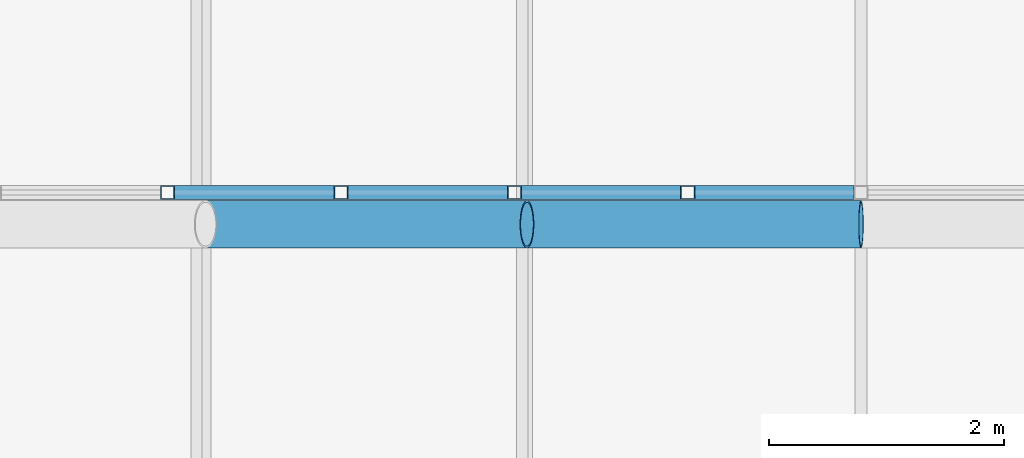
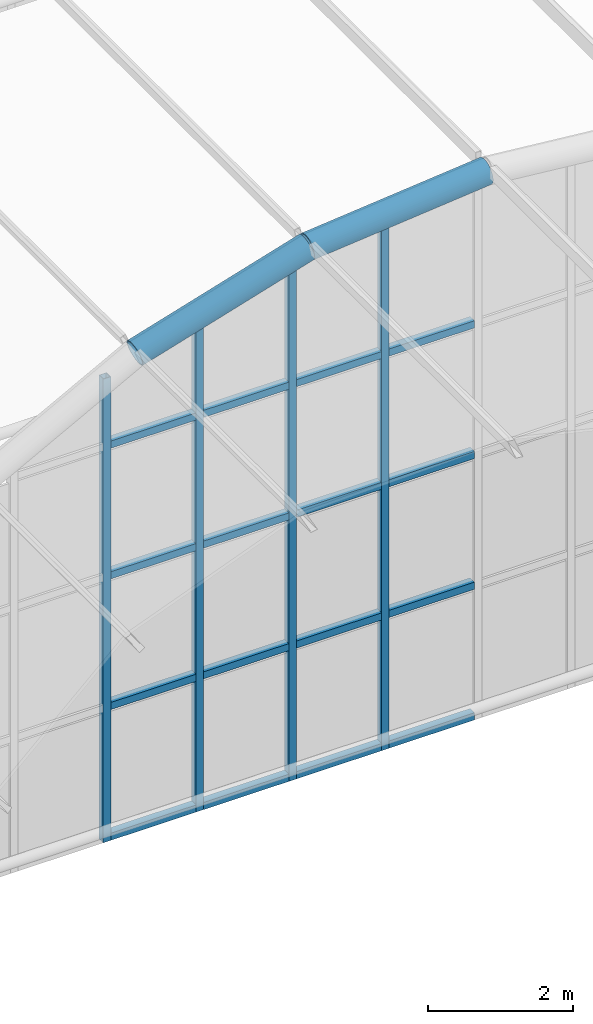
# One storey, part 26 of 121: 22 members, 1 element without a shape of its own.
"""IFC4 building model written with IfcOpenShell, lengths in metres."""

from ifc_helpers import new_model, si_unit, direction, frame, origin, origin_2d, place, context, subcontext, project, spatial, hollow_rectangle, hollow_circle, extrude, material, material_profile, profile_set, type_object, element, aggregate, save


model = new_model("IFC4")

# Units and contexts
model_context = context("Model", 3, precision=1e-05, world=origin(), true_north=direction((0.0, 1.0)))
body_context = subcontext(model_context, "Body", "Model", "MODEL_VIEW")
ifc_project = project(units=[si_unit("LENGTHUNIT", "METRE"), si_unit("AREAUNIT", "SQUARE_METRE"), si_unit("VOLUMEUNIT", "CUBIC_METRE"), si_unit("PLANEANGLEUNIT", "RADIAN"), si_unit("MASSUNIT", "GRAM", prefix="KILO")], contexts=[model_context])

# Site, building, storey
site_placement = place(None, origin())
site = spatial("IfcSite", under=ifc_project, at=site_placement, CompositionType="ELEMENT")
building_placement = place(site_placement, origin())
building = spatial("IfcBuilding", under=site, at=building_placement, Name="Golden Quay Civic Hall", CompositionType="ELEMENT")
storey_placement = place(building_placement, frame((0.0, 0.0, 18.60009765625)))
storey = spatial("IfcBuildingStorey", under=building, at=storey_placement, Name="L04", CompositionType="ELEMENT", Elevation=18.60009765625)

# Curtain wall, members
ifc_material_1 = material(Name="Fire-resisting glass and steel", Category="steel")
curtain_wall_type = type_object("IfcCurtainWallType", Name="Fire-resisting glazed curtain wall EI 120", PredefinedType="NOTDEFINED", material=ifc_material_1)
curtain_wall_placement = place(storey_placement, origin())
curtain_wall = element("IfcCurtainWall", 1, at=curtain_wall_placement, inside=storey, type_object=curtain_wall_type, Name="Curtain wall tympanum fire1", PredefinedType="NOTDEFINED")
ifc_material_2 = material(Name="Steel S355", Category="steel")
ifc_material_profile_1 = material_profile(ifc_material_2, hollow_rectangle(XDim=0.1201171875, YDim=0.1201171875, WallThickness=0.008056640625, at=origin_2d()), Name="SHS 120x120x8")
ifc_profile_set_1 = profile_set([ifc_material_profile_1], Name="Steel S355")
member_type_1 = type_object("IfcMemberType", Name="Fire-resisting steel mullion SHS 120x120x8", PredefinedType="MULLION", material=ifc_profile_set_1)
member_1_placement = place(storey_placement, frame((79.5888671875, 18.27001953125, -0.25), z_axis=(0.0, 0.0, 1.0), x_axis=(0.0, 1.0, 0.0)))
member_1 = element("IfcMember", 2, at=member_1_placement, type_object=member_type_1, Name="Tympanum mullion 6", PredefinedType="MULLION", context=body_context, shape_type="SweptSolid", body=[
    extrude(hollow_rectangle(XDim=0.1201171875, YDim=0.1201171875, WallThickness=0.008056640625, at=origin_2d()), origin(), (0.0, 0.0, 1.0), 7.805419921875),
])
member_2_placement = place(storey_placement, frame((81.066650390625, 18.27001953125, -0.25), z_axis=(0.0, 0.0, 1.0), x_axis=(0.0, 1.0, 0.0)))
member_2 = element("IfcMember", 3, at=member_2_placement, type_object=member_type_1, Name="Tympanum mullion 7", PredefinedType="MULLION", context=body_context, shape_type="SweptSolid", body=[
    extrude(hollow_rectangle(XDim=0.1201171875, YDim=0.1201171875, WallThickness=0.008056640625, at=origin_2d()), origin(), (0.0, 0.0, 1.0), 8.359375),
])
member_3_placement = place(storey_placement, frame((82.54443359375, 18.27001953125, -0.25), z_axis=(0.0, 0.0, 1.0), x_axis=(0.0, 1.0, 0.0)))
member_3 = element("IfcMember", 4, at=member_3_placement, type_object=member_type_1, Name="Tympanum mullion 8", PredefinedType="MULLION", context=body_context, shape_type="SweptSolid", body=[
    extrude(hollow_rectangle(XDim=0.1201171875, YDim=0.1201171875, WallThickness=0.008056640625, at=origin_2d()), origin(), (0.0, 0.0, 1.0), 8.806884765625),
])
member_4_placement = place(storey_placement, frame((84.022216796875, 18.27001953125, -0.25), z_axis=(0.0, 0.0, 1.0), x_axis=(0.0, 1.0, 0.0)))
member_4 = element("IfcMember", 5, at=member_4_placement, type_object=member_type_1, Name="Tympanum mullion 9", PredefinedType="MULLION", context=body_context, shape_type="SweptSolid", body=[
    extrude(hollow_rectangle(XDim=0.1201171875, YDim=0.1201171875, WallThickness=0.008056640625, at=origin_2d()), origin(), (0.0, 0.0, 1.0), 8.99462890625),
])
ifc_material_3 = material(Name="Steel S355", Category="steel")
ifc_material_profile_2 = material_profile(ifc_material_3, hollow_rectangle(XDim=0.1201171875, YDim=0.1201171875, WallThickness=0.008056640625, at=origin_2d()), Name="SHS 120x120x8")
ifc_profile_set_2 = profile_set([ifc_material_profile_2], Name="Steel S355")
member_type_2 = type_object("IfcMemberType", Name="Fire-resisting steel transom SHS 120x120x8", PredefinedType="USERDEFINED", material=ifc_profile_set_2)
member_5_placement = place(storey_placement, frame((79.64892578125, 18.27001953125, -0.190185546875), z_axis=(1.0, 0.0, 0.0), x_axis=(0.0, 1.0, 0.0)))
member_5 = element("IfcMember", 6, at=member_5_placement, type_object=member_type_2, Name="Tympanum transom 6.1", ObjectType="TRANSOM", PredefinedType="USERDEFINED", context=body_context, shape_type="SweptSolid", body=[
    extrude(hollow_rectangle(XDim=0.1201171875, YDim=0.1201171875, WallThickness=0.008056640625, at=origin_2d()), origin(), (0.0, 0.0, 1.0), 1.357666015625),
])
member_6_placement = place(storey_placement, frame((79.64892578125, 18.27001953125, 2.010009765625), z_axis=(1.0, 0.0, 0.0), x_axis=(0.0, 1.0, 0.0)))
member_6 = element("IfcMember", 7, at=member_6_placement, type_object=member_type_2, Name="Tympanum transom 6.2", ObjectType="TRANSOM", PredefinedType="USERDEFINED", context=body_context, shape_type="SweptSolid", body=[
    extrude(hollow_rectangle(XDim=0.1201171875, YDim=0.1201171875, WallThickness=0.008056640625, at=origin_2d()), origin(), (0.0, 0.0, 1.0), 1.357666015625),
])
member_7_placement = place(storey_placement, frame((79.64892578125, 18.27001953125, 4.2099609375), z_axis=(1.0, 0.0, 0.0), x_axis=(0.0, 1.0, 0.0)))
member_7 = element("IfcMember", 8, at=member_7_placement, type_object=member_type_2, Name="Tympanum transom 6.3", ObjectType="TRANSOM", PredefinedType="USERDEFINED", context=body_context, shape_type="SweptSolid", body=[
    extrude(hollow_rectangle(XDim=0.1201171875, YDim=0.1201171875, WallThickness=0.008056640625, at=origin_2d()), origin(), (0.0, 0.0, 1.0), 1.357666015625),
])
member_8_placement = place(storey_placement, frame((79.64892578125, 18.27001953125, 6.409912109375), z_axis=(1.0, 0.0, 0.0), x_axis=(0.0, 1.0, 0.0)))
member_8 = element("IfcMember", 9, at=member_8_placement, type_object=member_type_2, Name="Tympanum transom 6.4", ObjectType="TRANSOM", PredefinedType="USERDEFINED", context=body_context, shape_type="SweptSolid", body=[
    extrude(hollow_rectangle(XDim=0.1201171875, YDim=0.1201171875, WallThickness=0.008056640625, at=origin_2d()), origin(), (0.0, 0.0, 1.0), 1.357666015625),
])
member_9_placement = place(storey_placement, frame((81.126708984375, 18.27001953125, -0.190185546875), z_axis=(1.0, 0.0, 0.0), x_axis=(0.0, 1.0, 0.0)))
member_9 = element("IfcMember", 10, at=member_9_placement, type_object=member_type_2, Name="Tympanum transom 7.1", ObjectType="TRANSOM", PredefinedType="USERDEFINED", context=body_context, shape_type="SweptSolid", body=[
    extrude(hollow_rectangle(XDim=0.1201171875, YDim=0.1201171875, WallThickness=0.008056640625, at=origin_2d()), origin(), (0.0, 0.0, 1.0), 1.357666015625),
])
member_10_placement = place(storey_placement, frame((81.126708984375, 18.27001953125, 2.010009765625), z_axis=(1.0, 0.0, 0.0), x_axis=(0.0, 1.0, 0.0)))
member_10 = element("IfcMember", 11, at=member_10_placement, type_object=member_type_2, Name="Tympanum transom 7.2", ObjectType="TRANSOM", PredefinedType="USERDEFINED", context=body_context, shape_type="SweptSolid", body=[
    extrude(hollow_rectangle(XDim=0.1201171875, YDim=0.1201171875, WallThickness=0.008056640625, at=origin_2d()), origin(), (0.0, 0.0, 1.0), 1.357666015625),
])
member_11_placement = place(storey_placement, frame((81.126708984375, 18.27001953125, 4.2099609375), z_axis=(1.0, 0.0, 0.0), x_axis=(0.0, 1.0, 0.0)))
member_11 = element("IfcMember", 12, at=member_11_placement, type_object=member_type_2, Name="Tympanum transom 7.3", ObjectType="TRANSOM", PredefinedType="USERDEFINED", context=body_context, shape_type="SweptSolid", body=[
    extrude(hollow_rectangle(XDim=0.1201171875, YDim=0.1201171875, WallThickness=0.008056640625, at=origin_2d()), origin(), (0.0, 0.0, 1.0), 1.357666015625),
])
member_12_placement = place(storey_placement, frame((81.126708984375, 18.27001953125, 6.409912109375), z_axis=(1.0, 0.0, 0.0), x_axis=(0.0, 1.0, 0.0)))
member_12 = element("IfcMember", 13, at=member_12_placement, type_object=member_type_2, Name="Tympanum transom 7.4", ObjectType="TRANSOM", PredefinedType="USERDEFINED", context=body_context, shape_type="SweptSolid", body=[
    extrude(hollow_rectangle(XDim=0.1201171875, YDim=0.1201171875, WallThickness=0.008056640625, at=origin_2d()), origin(), (0.0, 0.0, 1.0), 1.357666015625),
])
member_13_placement = place(storey_placement, frame((82.6044921875, 18.27001953125, -0.190185546875), z_axis=(1.0, 0.0, 0.0), x_axis=(0.0, 1.0, 0.0)))
member_13 = element("IfcMember", 14, at=member_13_placement, type_object=member_type_2, Name="Tympanum transom 8.1", ObjectType="TRANSOM", PredefinedType="USERDEFINED", context=body_context, shape_type="SweptSolid", body=[
    extrude(hollow_rectangle(XDim=0.1201171875, YDim=0.1201171875, WallThickness=0.008056640625, at=origin_2d()), origin(), (0.0, 0.0, 1.0), 1.357666015625),
])
member_14_placement = place(storey_placement, frame((82.6044921875, 18.27001953125, 2.010009765625), z_axis=(1.0, 0.0, 0.0), x_axis=(0.0, 1.0, 0.0)))
member_14 = element("IfcMember", 15, at=member_14_placement, type_object=member_type_2, Name="Tympanum transom 8.2", ObjectType="TRANSOM", PredefinedType="USERDEFINED", context=body_context, shape_type="SweptSolid", body=[
    extrude(hollow_rectangle(XDim=0.1201171875, YDim=0.1201171875, WallThickness=0.008056640625, at=origin_2d()), origin(), (0.0, 0.0, 1.0), 1.357666015625),
])
member_15_placement = place(storey_placement, frame((82.6044921875, 18.27001953125, 4.2099609375), z_axis=(1.0, 0.0, 0.0), x_axis=(0.0, 1.0, 0.0)))
member_15 = element("IfcMember", 16, at=member_15_placement, type_object=member_type_2, Name="Tympanum transom 8.3", ObjectType="TRANSOM", PredefinedType="USERDEFINED", context=body_context, shape_type="SweptSolid", body=[
    extrude(hollow_rectangle(XDim=0.1201171875, YDim=0.1201171875, WallThickness=0.008056640625, at=origin_2d()), origin(), (0.0, 0.0, 1.0), 1.357666015625),
])
member_16_placement = place(storey_placement, frame((82.6044921875, 18.27001953125, 6.409912109375), z_axis=(1.0, 0.0, 0.0), x_axis=(0.0, 1.0, 0.0)))
member_16 = element("IfcMember", 17, at=member_16_placement, type_object=member_type_2, Name="Tympanum transom 8.4", ObjectType="TRANSOM", PredefinedType="USERDEFINED", context=body_context, shape_type="SweptSolid", body=[
    extrude(hollow_rectangle(XDim=0.1201171875, YDim=0.1201171875, WallThickness=0.008056640625, at=origin_2d()), origin(), (0.0, 0.0, 1.0), 1.357666015625),
])
member_17_placement = place(storey_placement, frame((84.082275390625, 18.27001953125, -0.190185546875), z_axis=(1.0, 0.0, 0.0), x_axis=(0.0, 1.0, 0.0)))
member_17 = element("IfcMember", 18, at=member_17_placement, type_object=member_type_2, Name="Tympanum transom 9.1", ObjectType="TRANSOM", PredefinedType="USERDEFINED", context=body_context, shape_type="SweptSolid", body=[
    extrude(hollow_rectangle(XDim=0.1201171875, YDim=0.1201171875, WallThickness=0.008056640625, at=origin_2d()), origin(), (0.0, 0.0, 1.0), 1.357666015625),
])
member_18_placement = place(storey_placement, frame((84.082275390625, 18.27001953125, 2.010009765625), z_axis=(1.0, 0.0, 0.0), x_axis=(0.0, 1.0, 0.0)))
member_18 = element("IfcMember", 19, at=member_18_placement, type_object=member_type_2, Name="Tympanum transom 9.2", ObjectType="TRANSOM", PredefinedType="USERDEFINED", context=body_context, shape_type="SweptSolid", body=[
    extrude(hollow_rectangle(XDim=0.1201171875, YDim=0.1201171875, WallThickness=0.008056640625, at=origin_2d()), origin(), (0.0, 0.0, 1.0), 1.357666015625),
])
member_19_placement = place(storey_placement, frame((84.082275390625, 18.27001953125, 4.2099609375), z_axis=(1.0, 0.0, 0.0), x_axis=(0.0, 1.0, 0.0)))
member_19 = element("IfcMember", 20, at=member_19_placement, type_object=member_type_2, Name="Tympanum transom 9.3", ObjectType="TRANSOM", PredefinedType="USERDEFINED", context=body_context, shape_type="SweptSolid", body=[
    extrude(hollow_rectangle(XDim=0.1201171875, YDim=0.1201171875, WallThickness=0.008056640625, at=origin_2d()), origin(), (0.0, 0.0, 1.0), 1.357666015625),
])
member_20_placement = place(storey_placement, frame((84.082275390625, 18.27001953125, 6.409912109375), z_axis=(1.0, 0.0, 0.0), x_axis=(0.0, 1.0, 0.0)))
member_20 = element("IfcMember", 21, at=member_20_placement, type_object=member_type_2, Name="Tympanum transom 9.4", ObjectType="TRANSOM", PredefinedType="USERDEFINED", context=body_context, shape_type="SweptSolid", body=[
    extrude(hollow_rectangle(XDim=0.1201171875, YDim=0.1201171875, WallThickness=0.008056640625, at=origin_2d()), origin(), (0.0, 0.0, 1.0), 1.357666015625),
])
aggregate(curtain_wall, [member_1, member_2, member_3, member_4, member_5, member_6, member_7, member_8, member_9, member_10, member_11, member_12, member_13, member_14, member_15, member_16, member_17, member_18, member_19, member_20])

# Members
ifc_material_4 = material(Name="Steel S355", Category="steel")
ifc_material_profile_3 = material_profile(ifc_material_4, hollow_circle(Radius=0.203125, WallThickness=0.01611328125, at=origin_2d()), Name="CHS 406.4x16")
ifc_profile_set_3 = profile_set([ifc_material_profile_3], Name="Steel S355")
member_type_3 = type_object("IfcMemberType", Name="Steel arch rib CHS 406.4x16", PredefinedType="USERDEFINED", material=ifc_profile_set_3)
member_21_placement = place(storey_placement, frame((79.91259765625, 18.0, 7.990478515625), z_axis=(0.957095401463, 0.0, 0.289773001673), x_axis=(0.0, 1.0, 0.0)))
element("IfcMember", 22, at=member_21_placement, inside=storey, type_object=member_type_3, Name="Arch rib 3 segment 5", ObjectType="ARCH RIB", PredefinedType="USERDEFINED", context=body_context, shape_type="SweptSolid", body=[
    extrude(hollow_circle(Radius=0.203125, WallThickness=0.01611328125, at=origin_2d()), origin(), (0.0, 0.0, 1.0), 2.862060546875),
])
member_22_placement = place(storey_placement, frame((82.65185546875, 18.0, 8.81982421875), z_axis=(0.995201360973, 0.0, 0.097848102266), x_axis=(0.0, 1.0, 0.0)))
element("IfcMember", 23, at=member_22_placement, inside=storey, type_object=member_type_3, Name="Arch rib 3 segment 6", ObjectType="ARCH RIB", PredefinedType="USERDEFINED", context=body_context, shape_type="SweptSolid", body=[
    extrude(hollow_circle(Radius=0.203125, WallThickness=0.01611328125, at=origin_2d()), origin(), (0.0, 0.0, 1.0), 2.86181640625),
])

save(model, "model.ifc")
